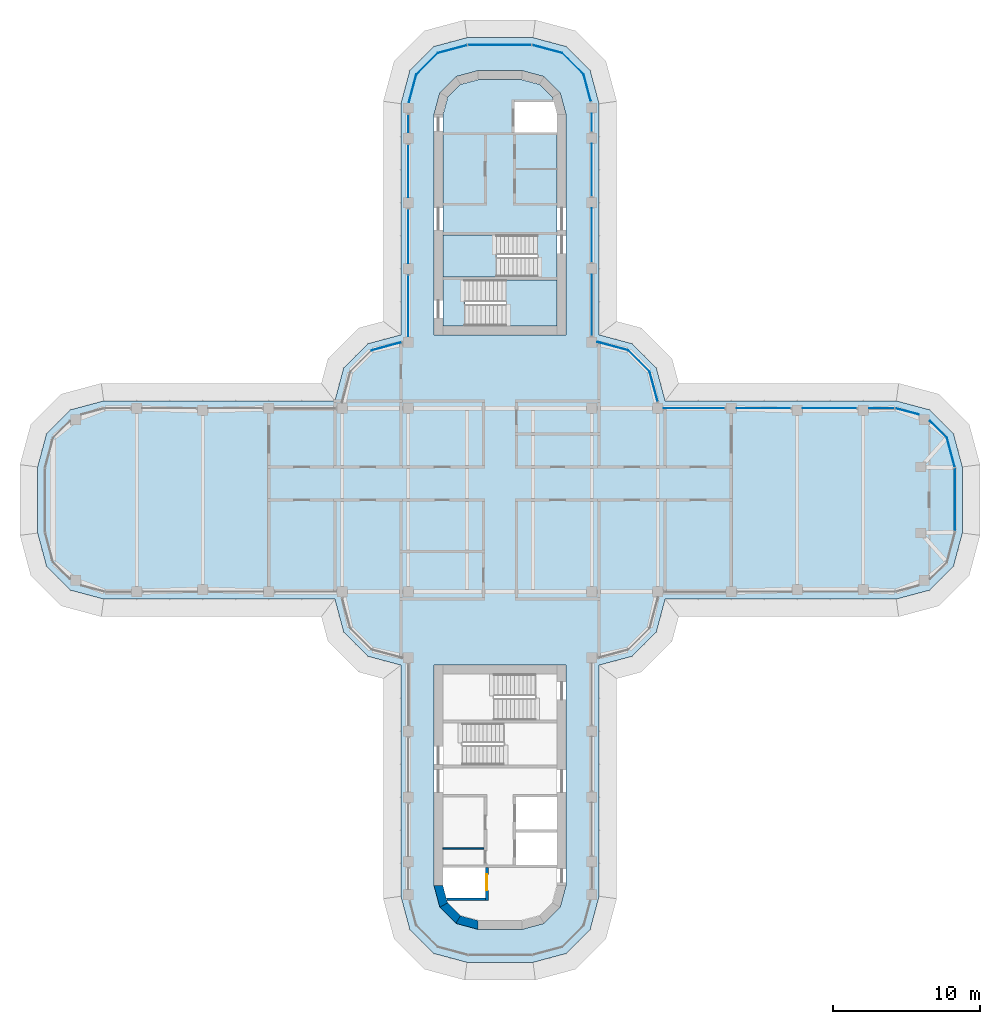
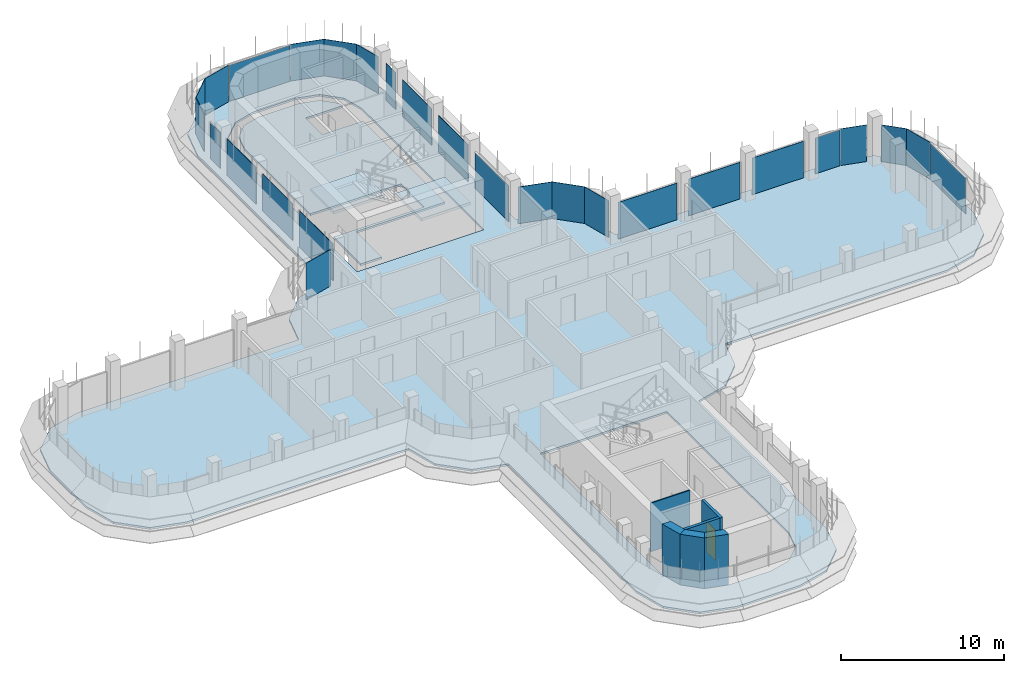
# One storey, part 12 of 18: 27 plates, 6 walls, 4 slabs, 1 door, 1 opening, 20 elements without a shape of their own.
"""IFC4 building model written with IfcOpenShell, lengths in metres."""

from ifc_helpers import new_model, si_unit, direction, frame, frame_2d, origin, place, context, subcontext, project, spatial, polyline, rectangle, outline, extrude, source, transform, mapped, material, layer, layer_set, type_object, element, fill, aggregate, save


model = new_model("IFC4")

# Units and contexts
model_context = context("Model", 3, precision=1e-05, world=origin(), true_north=direction((0.0, 1.0)))
body_context = subcontext(model_context, "Body", "Model", "MODEL_VIEW")
ifc_project = project(units=[si_unit("LENGTHUNIT", "METRE"), si_unit("AREAUNIT", "SQUARE_METRE"), si_unit("VOLUMEUNIT", "CUBIC_METRE"), si_unit("PLANEANGLEUNIT", "RADIAN"), si_unit("MASSUNIT", "GRAM", prefix="KILO")], contexts=[model_context])

# Site, building, storey
site_placement = place(None, origin())
site = spatial("IfcSite", under=ifc_project, at=site_placement, CompositionType="ELEMENT")
building_placement = place(site_placement, origin())
building = spatial("IfcBuilding", under=site, at=building_placement, Name="Zarbagh Exchange Tower", CompositionType="ELEMENT")
storey_placement = place(building_placement, frame((0.0, 0.0, 214.39990234375)))
storey = spatial("IfcBuildingStorey", under=building, at=storey_placement, Name="L52", CompositionType="ELEMENT", Elevation=214.39990234375)

# Slabs
ifc_material_1 = material(Name="Concrete C40/50", Category="concrete")
ifc_layer_1 = layer(ifc_material_1, 0.14990234375)
ifc_layer_set_1 = layer_set([ifc_layer_1], Name="Composite floor slab 150 C40/50")
slab_type_1 = type_object("IfcSlabType", Name="Composite floor slab 150 C40/50", PredefinedType="FLOOR", material=ifc_layer_set_1)
slab_1_placement = place(storey_placement, frame((0.0, 0.0, -0.14990234375)))
element("IfcSlab", 1, at=slab_1_placement, inside=storey, type_object=slab_type_1, Name="S5 composite floor slab", PredefinedType="FLOOR", context=body_context, shape_type="SweptSolid", body=[
    extrude(outline(polyline([(-2.25, -31.5), (-4.5, -30.897216796875), (-6.147216796875, -29.25), (-6.75, -27.0), (-6.75, -11.25), (-9.0, -10.647216796875), (-10.647216796875, -9.0), (-11.25, -6.75), (-27.0, -6.75), (-29.25, -6.147216796875), (-30.897216796875, -4.5), (-31.5, -2.25), (-31.5, 2.25), (-30.897216796875, 4.5), (-29.25, 6.147216796875), (-27.0, 6.75), (-11.25, 6.75), (-10.647216796875, 9.0), (-9.0, 10.647216796875), (-6.75, 11.25), (-6.75, 27.0), (-6.147216796875, 29.25), (-4.5, 30.897216796875), (-2.25, 31.5), (2.25, 31.5), (4.5, 30.897216796875), (6.147216796875, 29.25), (6.75, 27.0), (6.75, 11.25), (9.0, 10.647216796875), (10.647216796875, 9.0), (11.25, 6.75), (27.0, 6.75), (29.25, 6.147216796875), (30.897216796875, 4.5), (31.5, 2.25), (31.5, -2.25), (30.897216796875, -4.5), (29.25, -6.147216796875), (27.0, -6.75), (11.25, -6.75), (10.647216796875, -9.0), (9.0, -10.647216796875), (6.75, -11.25), (6.75, -27.0), (6.147216796875, -29.25), (4.5, -30.897216796875), (2.25, -31.5), (-2.25, -31.5)]), holes=[polyline([(4.5, 11.25), (4.5, 26.25), (4.09814453125, 27.75), (3.0, 28.84814453125), (1.5, 29.25), (-1.5, 29.25), (-3.0, 28.84814453125), (-4.09814453125, 27.75), (-4.5, 26.25), (-4.5, 11.25), (4.5, 11.25)]), polyline([(-1.5, -29.25), (1.5, -29.25), (3.0, -28.84814453125), (4.09814453125, -27.75), (4.5, -26.25), (4.5, -11.25), (-4.5, -11.25), (-4.5, -26.25), (-4.09814453125, -27.75), (-3.0, -28.84814453125), (-1.5, -29.25)])]), origin(), (0.0, 0.0, 1.0), 0.14990234375),
])
ifc_layer_2 = layer(ifc_material_1, 0.14990234375)
ifc_layer_set_2 = layer_set([ifc_layer_2], Name="Core floor slab 150 C40/50")
slab_type_2 = type_object("IfcSlabType", Name="Core floor slab 150 C40/50", PredefinedType="FLOOR", material=ifc_layer_set_2)
slab_2_placement = place(storey_placement, frame((0.0, 0.0, -0.14990234375)))
element("IfcSlab", 2, at=slab_2_placement, inside=storey, type_object=slab_type_2, Name="S17 core N", PredefinedType="FLOOR", context=body_context, shape_type="SweptSolid", body=[
    extrude(outline(polyline([(-3.89990234375, 11.85009765625), (-3.89990234375, 15.199951171875), (2.550048828125, 15.199951171875), (2.550048828125, 18.050048828125), (-3.89990234375, 18.050048828125), (-3.89990234375, 26.1708984375), (-3.56005859375, 27.439453125), (-2.689453125, 28.31005859375), (-1.4208984375, 28.64990234375), (1.4208984375, 28.64990234375), (2.689453125, 28.31005859375), (3.56005859375, 27.439453125), (3.651123046875, 27.10009765625), (1.0, 27.10009765625), (1.0, 25.050048828125), (3.89990234375, 25.050048828125), (3.89990234375, 15.0), (-2.39990234375, 15.0), (-2.39990234375, 11.85009765625), (-3.89990234375, 11.85009765625)])), origin(), (0.0, 0.0, 1.0), 0.14990234375),
])

# Stair, slab
stair_type = type_object("IfcStairType", Name="Exit stair two-flight half-turn", PredefinedType="HALF_TURN_STAIR", material=ifc_material_1)
stair_1_placement = place(storey_placement, origin())
stair_1 = element("IfcStair", 3, at=stair_1_placement, inside=storey, type_object=stair_type, Name="exit stair ST1", PredefinedType="HALF_TURN_STAIR")
ifc_layer_3 = layer(ifc_material_1, 0.199951171875)
ifc_layer_set_3 = layer_set([ifc_layer_3], Name="Stair landing 200 mm")
slab_type_3 = type_object("IfcSlabType", Name="Stair landing 200 mm", PredefinedType="LANDING", material=ifc_layer_set_3)
slab_3_placement = place(storey_placement, frame((0.0, 0.0, 1.7001953125)))
slab_3 = element("IfcSlab", 4, at=slab_3_placement, type_object=slab_type_3, Name="ST1 landing 1", PredefinedType="LANDING", context=body_context, shape_type="SweptSolid", body=[
    extrude(outline(polyline([(-0.25, 18.050048828125), (-3.89990234375, 18.050048828125), (-3.89990234375, 15.199951171875), (-0.25, 15.199951171875), (-0.25, 18.050048828125)])), origin(), (0.0, 0.0, 1.0), 0.199951171875),
])
aggregate(stair_1, [slab_3])

stair_2_placement = place(storey_placement, origin())
stair_2 = element("IfcStair", 5, at=stair_2_placement, inside=storey, type_object=stair_type, Name="exit stair ST2", PredefinedType="HALF_TURN_STAIR")
slab_4_placement = place(storey_placement, frame((0.0, 0.0, 1.7001953125)))
slab_4 = element("IfcSlab", 6, at=slab_4_placement, type_object=slab_type_3, Name="ST2 landing 1", PredefinedType="LANDING", context=body_context, shape_type="SweptSolid", body=[
    extrude(outline(polyline([(0.39990234375, 11.85009765625), (3.89990234375, 11.85009765625), (3.89990234375, 15.0), (0.39990234375, 15.0), (0.39990234375, 11.85009765625)])), origin(), (0.0, 0.0, 1.0), 0.199951171875),
])
aggregate(stair_2, [slab_4])

# Curtain wall, plate
ifc_material_2 = material(Name="Anodised aluminium frame and glazing", Category="aluminium")
curtain_wall_type = type_object("IfcCurtainWallType", Name="CWB Ribbon glazing, upper zones", PredefinedType="NOTDEFINED", material=ifc_material_2)
curtain_wall_1_placement = place(storey_placement, origin())
curtain_wall_1 = element("IfcCurtainWall", 7, at=curtain_wall_1_placement, inside=storey, type_object=curtain_wall_type, Name="CWB18 curtain wall", PredefinedType="NOTDEFINED")
ifc_material_3 = material(Name="Low-e double glazed unit, 6+12+6 mm")
ifc_layer_4 = layer(ifc_material_3, 0.031982421875)
ifc_layer_set_4 = layer_set([ifc_layer_4], Name="PAB Glazing panel, Low-e double glazed unit, 6+12+6 mm")
plate_type = type_object("IfcPlateType", Name="PAB Glazing panel, Low-e double glazed unit, 6+12+6 mm", PredefinedType="CURTAIN_PANEL", material=ifc_layer_set_4)
shared_shape_1 = source(origin(), body_context, "Body", "SweptSolid", [
    extrude(outline(polyline([(0.0, -0.01611328125), (2.061279296875, -0.01611328125), (2.061279296875, 0.01611328125), (0.0, 0.01611328125), (0.0, -0.01611328125)])), origin(), (0.0, 0.0, 1.0), 2.75),
])
placement = place(storey_placement, origin())
plate_1 = element("IfcPlate", 8, at=placement, type_object=plate_type, Name="CWB18 glazing panel 1.1", PredefinedType="CURTAIN_PANEL", context=body_context, shape_type="MappedRepresentation", body=[
    mapped(shared_shape_1, transform((10.19873046875, 8.7412109375, 0.0), x_axis=(-0.707106781187, 0.707106781187, 0.0), y_axis=(-0.707106781187, -0.707106781187, 0.0), z_axis=(0.0, 0.0, 1.0))),
])
aggregate(curtain_wall_1, [plate_1])

curtain_wall_2_placement = place(storey_placement, origin())
curtain_wall_2 = element("IfcCurtainWall", 9, at=curtain_wall_2_placement, inside=storey, type_object=curtain_wall_type, Name="CWB22 curtain wall", PredefinedType="NOTDEFINED")
plate_2 = element("IfcPlate", 10, at=placement, type_object=plate_type, Name="CWB22 glazing panel 1.1", PredefinedType="CURTAIN_PANEL", context=body_context, shape_type="MappedRepresentation", body=[
    mapped(shared_shape_1, transform((5.69873046875, 28.9912109375, 0.0), x_axis=(-0.707106781187, 0.707106781187, 0.0), y_axis=(-0.707106781187, -0.707106781187, 0.0), z_axis=(0.0, 0.0, 1.0))),
])
aggregate(curtain_wall_2, [plate_2])

curtain_wall_3_placement = place(storey_placement, origin())
curtain_wall_3 = element("IfcCurtainWall", 11, at=curtain_wall_3_placement, inside=storey, type_object=curtain_wall_type, Name="CWB26 curtain wall", PredefinedType="NOTDEFINED")
plate_3 = element("IfcPlate", 12, at=placement, type_object=plate_type, Name="CWB26 glazing panel 1.1", PredefinedType="CURTAIN_PANEL", context=body_context, shape_type="MappedRepresentation", body=[
    mapped(shared_shape_1, transform((-4.2412109375, 30.44873046875, 0.0), x_axis=(-0.707106781187, -0.707106781187, 0.0), y_axis=(0.707106781187, -0.707106781187, 0.0), z_axis=(0.0, 0.0, 1.0))),
])
aggregate(curtain_wall_3, [plate_3])

curtain_wall_4_placement = place(storey_placement, origin())
curtain_wall_4 = element("IfcCurtainWall", 13, at=curtain_wall_4_placement, inside=storey, type_object=curtain_wall_type, Name="CWB23 curtain wall", PredefinedType="NOTDEFINED")
shared_shape_2 = source(origin(), body_context, "Body", "SweptSolid", [
    extrude(outline(polyline([(0.0, -0.01611328125), (2.129638671875, -0.01611328125), (2.129638671875, 0.01611328125), (0.0, 0.01611328125), (0.0, -0.01611328125)])), origin(), (0.0, 0.0, 1.0), 2.75),
])
plate_4 = element("IfcPlate", 14, at=placement, type_object=plate_type, Name="CWB23 glazing panel 1.1", PredefinedType="CURTAIN_PANEL", context=body_context, shape_type="MappedRepresentation", body=[
    mapped(shared_shape_2, transform((4.2412109375, 30.44873046875, 0.0), x_axis=(-0.965924289636, 0.258824779902, 0.0), y_axis=(-0.258824779902, -0.965924289636, 0.0), z_axis=(0.0, 0.0, 1.0))),
])
aggregate(curtain_wall_4, [plate_4])

curtain_wall_5_placement = place(storey_placement, origin())
curtain_wall_5 = element("IfcCurtainWall", 15, at=curtain_wall_5_placement, inside=storey, type_object=curtain_wall_type, Name="CWB20 curtain wall", PredefinedType="NOTDEFINED")
shared_shape_3 = source(origin(), body_context, "Body", "SweptSolid", [
    extrude(outline(polyline([(0.0, -0.01611328125), (3.56005859375, -0.01611328125), (3.56005859375, 0.01611328125), (0.0, 0.01611328125), (0.0, -0.01611328125)])), origin(), (0.0, 0.0, 1.0), 2.75),
])
plate_5 = element("IfcPlate", 16, at=placement, type_object=plate_type, Name="CWB20 glazing panel 3.1", PredefinedType="CURTAIN_PANEL", context=body_context, shape_type="MappedRepresentation", body=[
    mapped(shared_shape_3, transform((6.25, 20.699951171875, 0.0), x_axis=(0.0, 1.0, 0.0), y_axis=(-1.0, 0.0, 0.0), z_axis=(0.0, 0.0, 1.0))),
])

curtain_wall_6_placement = place(storey_placement, origin())
curtain_wall_6 = element("IfcCurtainWall", 17, at=curtain_wall_6_placement, inside=storey, type_object=curtain_wall_type, Name="CWB28 curtain wall", PredefinedType="NOTDEFINED")
plate_6 = element("IfcPlate", 18, at=placement, type_object=plate_type, Name="CWB28 glazing panel 2.1", PredefinedType="CURTAIN_PANEL", context=body_context, shape_type="MappedRepresentation", body=[
    mapped(shared_shape_3, transform((-6.25, 24.199951171875, 0.0), x_axis=(0.0, -1.0, 0.0), y_axis=(1.0, 0.0, 0.0), z_axis=(0.0, 0.0, 1.0))),
])

curtain_wall_7_placement = place(storey_placement, origin())
curtain_wall_7 = element("IfcCurtainWall", 19, at=curtain_wall_7_placement, inside=storey, type_object=curtain_wall_type, Name="CWB12 curtain wall", PredefinedType="NOTDEFINED")
shared_shape_4 = source(origin(), body_context, "Body", "SweptSolid", [
    extrude(outline(polyline([(0.0, -0.01611328125), (4.308349609375, -0.01611328125), (4.308349609375, 0.01611328125), (0.0, 0.01611328125), (0.0, -0.01611328125)])), origin(), (0.0, 0.0, 1.0), 2.68994140625),
])
plate_7 = element("IfcPlate", 20, at=placement, type_object=plate_type, Name="CWB12 glazing panel 1.1", PredefinedType="CURTAIN_PANEL", context=body_context, shape_type="MappedRepresentation", body=[
    mapped(shared_shape_4, transform((31.0, -2.124267578125, 0.0), x_axis=(0.0, 1.0, 0.0), y_axis=(-1.0, 0.0, 0.0), z_axis=(0.0, 0.0, 1.0))),
])
aggregate(curtain_wall_7, [plate_7])

curtain_wall_8_placement = place(storey_placement, origin())
curtain_wall_8 = element("IfcCurtainWall", 21, at=curtain_wall_8_placement, inside=storey, type_object=curtain_wall_type, Name="CWB24 curtain wall", PredefinedType="NOTDEFINED")
plate_8 = element("IfcPlate", 22, at=placement, type_object=plate_type, Name="CWB24 glazing panel 1.1", PredefinedType="CURTAIN_PANEL", context=body_context, shape_type="MappedRepresentation", body=[
    mapped(shared_shape_4, transform((2.124267578125, 31.0, 0.0), x_axis=(-1.0, 0.0, 0.0), y_axis=(0.0, -1.0, 0.0), z_axis=(0.0, 0.0, 1.0))),
])
aggregate(curtain_wall_8, [plate_8])

curtain_wall_9_placement = place(storey_placement, origin())
curtain_wall_9 = element("IfcCurtainWall", 23, at=curtain_wall_9_placement, inside=storey, type_object=curtain_wall_type, Name="CWB13 curtain wall", PredefinedType="NOTDEFINED")
shared_shape_5 = source(origin(), body_context, "Body", "SweptSolid", [
    extrude(outline(polyline([(0.0, -0.01611328125), (2.069580078125, -0.01611328125), (2.069580078125, 0.01611328125), (0.0, 0.01611328125), (0.0, -0.01611328125)])), origin(), (0.0, 0.0, 1.0), 2.75),
])
plate_9 = element("IfcPlate", 24, at=placement, type_object=plate_type, Name="CWB13 glazing panel 1.1", PredefinedType="CURTAIN_PANEL", context=body_context, shape_type="MappedRepresentation", body=[
    mapped(shared_shape_5, transform((30.984375, 2.2421875, 0.0), x_axis=(-0.258824779902, 0.965924289636, 0.0), y_axis=(-0.965924289636, -0.258824779902, 0.0), z_axis=(0.0, 0.0, 1.0))),
])
aggregate(curtain_wall_9, [plate_9])

curtain_wall_10_placement = place(storey_placement, origin())
curtain_wall_10 = element("IfcCurtainWall", 25, at=curtain_wall_10_placement, inside=storey, type_object=curtain_wall_type, Name="CWB25 curtain wall", PredefinedType="NOTDEFINED")
plate_10 = element("IfcPlate", 26, at=placement, type_object=plate_type, Name="CWB25 glazing panel 1.1", PredefinedType="CURTAIN_PANEL", context=body_context, shape_type="MappedRepresentation", body=[
    mapped(shared_shape_5, transform((-2.2421875, 30.984375, 0.0), x_axis=(-0.965924289636, -0.258824779902, 0.0), y_axis=(0.258824779902, -0.965924289636, 0.0), z_axis=(0.0, 0.0, 1.0))),
])
aggregate(curtain_wall_10, [plate_10])

# Curtain wall, plates
curtain_wall_11_placement = place(storey_placement, origin())
curtain_wall_11 = element("IfcCurtainWall", 27, at=curtain_wall_11_placement, inside=storey, type_object=curtain_wall_type, Name="CWB16 curtain wall", PredefinedType="NOTDEFINED")
shared_shape_6 = source(origin(), body_context, "Body", "SweptSolid", [
    extrude(outline(polyline([(0.0, -0.01611328125), (3.659912109375, -0.01611328125), (3.659912109375, 0.01611328125), (0.0, 0.01611328125), (0.0, -0.01611328125)])), origin(), (0.0, 0.0, 1.0), 2.75),
])
plate_11 = element("IfcPlate", 28, at=placement, type_object=plate_type, Name="CWB16 glazing panel 2.1", PredefinedType="CURTAIN_PANEL", context=body_context, shape_type="MappedRepresentation", body=[
    mapped(shared_shape_6, transform((24.300048828125, 6.25, 0.0), x_axis=(-1.0, 0.0, 0.0), y_axis=(0.0, -1.0, 0.0), z_axis=(0.0, 0.0, 1.0))),
])
plate_12 = element("IfcPlate", 29, at=placement, type_object=plate_type, Name="CWB16 glazing panel 3.1", PredefinedType="CURTAIN_PANEL", context=body_context, shape_type="MappedRepresentation", body=[
    mapped(shared_shape_6, transform((19.800048828125, 6.25, 0.0), x_axis=(-1.0, 0.0, 0.0), y_axis=(0.0, -1.0, 0.0), z_axis=(0.0, 0.0, 1.0))),
])

# Plate
plate_13 = element("IfcPlate", 30, at=placement, type_object=plate_type, Name="CWB20 glazing panel 2.1", PredefinedType="CURTAIN_PANEL", context=body_context, shape_type="MappedRepresentation", body=[
    mapped(shared_shape_6, transform((6.25, 16.199951171875, 0.0), x_axis=(0.0, 1.0, 0.0), y_axis=(-1.0, 0.0, 0.0), z_axis=(0.0, 0.0, 1.0))),
])

plate_14 = element("IfcPlate", 31, at=placement, type_object=plate_type, Name="CWB28 glazing panel 3.1", PredefinedType="CURTAIN_PANEL", context=body_context, shape_type="MappedRepresentation", body=[
    mapped(shared_shape_6, transform((-6.25, 19.800048828125, 0.0), x_axis=(0.0, -1.0, 0.0), y_axis=(1.0, 0.0, 0.0), z_axis=(0.0, 0.0, 1.0))),
])

shared_shape_7 = source(origin(), body_context, "Body", "SweptSolid", [
    extrude(outline(polyline([(0.0, -0.01611328125), (4.159912109375, -0.01611328125), (4.159912109375, 0.01611328125), (0.0, 0.01611328125), (0.0, -0.01611328125)])), origin(), (0.0, 0.0, 1.0), 2.75),
])
plate_15 = element("IfcPlate", 32, at=placement, type_object=plate_type, Name="CWB16 glazing panel 4.1", PredefinedType="CURTAIN_PANEL", context=body_context, shape_type="MappedRepresentation", body=[
    mapped(shared_shape_7, transform((15.300048828125, 6.25, 0.0), x_axis=(-1.0, 0.0, 0.0), y_axis=(0.0, -1.0, 0.0), z_axis=(0.0, 0.0, 1.0))),
])

plate_16 = element("IfcPlate", 33, at=placement, type_object=plate_type, Name="CWB28 glazing panel 4.1", PredefinedType="CURTAIN_PANEL", context=body_context, shape_type="MappedRepresentation", body=[
    mapped(shared_shape_7, transform((-6.25, 15.300048828125, 0.0), x_axis=(0.0, -1.0, 0.0), y_axis=(1.0, 0.0, 0.0), z_axis=(0.0, 0.0, 1.0))),
])

# Curtain wall, plate
curtain_wall_12_placement = place(storey_placement, origin())
curtain_wall_12 = element("IfcCurtainWall", 34, at=curtain_wall_12_placement, inside=storey, type_object=curtain_wall_type, Name="CWB17 curtain wall", PredefinedType="NOTDEFINED")
shared_shape_8 = source(origin(), body_context, "Body", "SweptSolid", [
    extrude(outline(polyline([(0.0, -0.01611328125), (2.115234375, -0.01611328125), (2.115234375, 0.01611328125), (0.0, 0.01611328125), (0.0, -0.01611328125)])), origin(), (0.0, 0.0, 1.0), 2.75),
])
plate_17 = element("IfcPlate", 35, at=placement, type_object=plate_type, Name="CWB17 glazing panel 1.1", PredefinedType="CURTAIN_PANEL", context=body_context, shape_type="MappedRepresentation", body=[
    mapped(shared_shape_8, transform((10.746337890625, 6.697998046875, 0.0), x_axis=(-0.258824779902, 0.965924289636, 0.0), y_axis=(-0.965924289636, -0.258824779902, 0.0), z_axis=(0.0, 0.0, 1.0))),
])
aggregate(curtain_wall_12, [plate_17])

curtain_wall_13_placement = place(storey_placement, origin())
curtain_wall_13 = element("IfcCurtainWall", 36, at=curtain_wall_13_placement, inside=storey, type_object=curtain_wall_type, Name="CWB29 curtain wall", PredefinedType="NOTDEFINED")
plate_18 = element("IfcPlate", 37, at=placement, type_object=plate_type, Name="CWB29 glazing panel 1.1", PredefinedType="CURTAIN_PANEL", context=body_context, shape_type="MappedRepresentation", body=[
    mapped(shared_shape_8, transform((-6.697998046875, 10.746337890625, 0.0), x_axis=(-0.965924289636, -0.258824779902, 0.0), y_axis=(0.258824779902, -0.965924289636, 0.0), z_axis=(0.0, 0.0, 1.0))),
])
aggregate(curtain_wall_13, [plate_18])

curtain_wall_14_placement = place(storey_placement, origin())
curtain_wall_14 = element("IfcCurtainWall", 38, at=curtain_wall_14_placement, inside=storey, type_object=curtain_wall_type, Name="CWB19 curtain wall", PredefinedType="NOTDEFINED")
shared_shape_9 = source(origin(), body_context, "Body", "SweptSolid", [
    extrude(outline(polyline([(0.0, -0.01611328125), (2.17529296875, -0.01611328125), (2.17529296875, 0.01611328125), (0.0, 0.01611328125), (0.0, -0.01611328125)])), origin(), (0.0, 0.0, 1.0), 2.75),
])
plate_19 = element("IfcPlate", 39, at=placement, type_object=plate_type, Name="CWB19 glazing panel 1.1", PredefinedType="CURTAIN_PANEL", context=body_context, shape_type="MappedRepresentation", body=[
    mapped(shared_shape_9, transform((8.7412109375, 10.19873046875, 0.0), x_axis=(-0.965924289636, 0.258824779902, 0.0), y_axis=(-0.258824779902, -0.965924289636, 0.0), z_axis=(0.0, 0.0, 1.0))),
])
aggregate(curtain_wall_14, [plate_19])

# Plate
shared_shape_10 = source(origin(), body_context, "Body", "SweptSolid", [
    extrude(outline(polyline([(0.0, -0.01611328125), (4.159912109375, -0.01611328125), (4.159912109375, 0.01611328125), (0.0, 0.01611328125), (0.0, -0.01611328125)])), origin(), (0.0, 0.0, 1.0), 2.68994140625),
])
plate_20 = element("IfcPlate", 40, at=placement, type_object=plate_type, Name="CWB20 glazing panel 1.1", PredefinedType="CURTAIN_PANEL", context=body_context, shape_type="MappedRepresentation", body=[
    mapped(shared_shape_10, transform((6.25, 11.199951171875, 0.0), x_axis=(0.0, 1.0, 0.0), y_axis=(-1.0, 0.0, 0.0), z_axis=(0.0, 0.0, 1.0))),
])

# Curtain wall, plate
curtain_wall_15_placement = place(storey_placement, origin())
curtain_wall_15 = element("IfcCurtainWall", 41, at=curtain_wall_15_placement, inside=storey, type_object=curtain_wall_type, Name="CWB14 curtain wall", PredefinedType="NOTDEFINED")
shared_shape_11 = source(origin(), body_context, "Body", "SweptSolid", [
    extrude(outline(polyline([(0.0, -0.01611328125), (1.62744140625, -0.01611328125), (1.62744140625, 0.01611328125), (0.0, 0.01611328125), (0.0, -0.01611328125)])), origin(), (0.0, 0.0, 1.0), 2.75),
])
plate_21 = element("IfcPlate", 42, at=placement, type_object=plate_type, Name="CWB14 glazing panel 1.1", PredefinedType="CURTAIN_PANEL", context=body_context, shape_type="MappedRepresentation", body=[
    mapped(shared_shape_11, transform((30.44873046875, 4.2412109375, 0.0), x_axis=(-0.707106781187, 0.707106781187, 0.0), y_axis=(-0.707106781187, -0.707106781187, 0.0), z_axis=(0.0, 0.0, 1.0))),
])
aggregate(curtain_wall_15, [plate_21])

curtain_wall_16_placement = place(storey_placement, origin())
curtain_wall_16 = element("IfcCurtainWall", 43, at=curtain_wall_16_placement, inside=storey, type_object=curtain_wall_type, Name="CWB15 curtain wall", PredefinedType="NOTDEFINED")
shared_shape_12 = source(origin(), body_context, "Body", "SweptSolid", [
    extrude(outline(polyline([(0.0, -0.01611328125), (1.6396484375, -0.01611328125), (1.6396484375, 0.01611328125), (0.0, 0.01611328125), (0.0, -0.01611328125)])), origin(), (0.0, 0.0, 1.0), 2.75),
])
plate_22 = element("IfcPlate", 44, at=placement, type_object=plate_type, Name="CWB15 glazing panel 1.1", PredefinedType="CURTAIN_PANEL", context=body_context, shape_type="MappedRepresentation", body=[
    mapped(shared_shape_12, transform((28.51806640625, 5.82568359375, 0.0), x_axis=(-0.965924289636, 0.258824779902, 0.0), y_axis=(-0.258824779902, -0.965924289636, 0.0), z_axis=(0.0, 0.0, 1.0))),
])
aggregate(curtain_wall_16, [plate_22])

# Plate
shared_shape_13 = source(origin(), body_context, "Body", "SweptSolid", [
    extrude(outline(polyline([(0.0, -0.01611328125), (1.734130859375, -0.01611328125), (1.734130859375, 0.01611328125), (0.0, 0.01611328125), (0.0, -0.01611328125)])), origin(), (0.0, 0.0, 1.0), 2.68994140625),
])
plate_23 = element("IfcPlate", 45, at=placement, type_object=plate_type, Name="CWB16 glazing panel 1.1", PredefinedType="CURTAIN_PANEL", context=body_context, shape_type="MappedRepresentation", body=[
    mapped(shared_shape_13, transform((26.874267578125, 6.25, 0.0), x_axis=(-1.0, 0.0, 0.0), y_axis=(0.0, -1.0, 0.0), z_axis=(0.0, 0.0, 1.0))),
])

aggregate(curtain_wall_11, [plate_23, plate_11, plate_12, plate_15])

shared_shape_14 = source(origin(), body_context, "Body", "SweptSolid", [
    extrude(outline(polyline([(0.0, -0.01611328125), (1.2099609375, -0.01611328125), (1.2099609375, 0.01611328125), (0.0, 0.01611328125), (0.0, -0.01611328125)])), origin(), (0.0, 0.0, 1.0), 2.75),
])
plate_24 = element("IfcPlate", 46, at=placement, type_object=plate_type, Name="CWB20 glazing panel 4.1", PredefinedType="CURTAIN_PANEL", context=body_context, shape_type="MappedRepresentation", body=[
    mapped(shared_shape_14, transform((6.25, 25.10009765625, 0.0), x_axis=(0.0, 1.0, 0.0), y_axis=(-1.0, 0.0, 0.0), z_axis=(0.0, 0.0, 1.0))),
])

aggregate(curtain_wall_5, [plate_20, plate_13, plate_5, plate_24])

# Curtain wall, plate
curtain_wall_17_placement = place(storey_placement, origin())
curtain_wall_17 = element("IfcCurtainWall", 47, at=curtain_wall_17_placement, inside=storey, type_object=curtain_wall_type, Name="CWB21 curtain wall", PredefinedType="NOTDEFINED")
shared_shape_15 = source(origin(), body_context, "Body", "SweptSolid", [
    extrude(outline(polyline([(0.0, -0.01611328125), (1.908203125, -0.01611328125), (1.908203125, 0.01611328125), (0.0, 0.01611328125), (0.0, -0.01611328125)])), origin(), (0.0, 0.0, 1.0), 2.75),
])
plate_25 = element("IfcPlate", 48, at=placement, type_object=plate_type, Name="CWB21 glazing panel 1.1", PredefinedType="CURTAIN_PANEL", context=body_context, shape_type="MappedRepresentation", body=[
    mapped(shared_shape_15, transform((6.192626953125, 27.14794921875, 0.0), x_axis=(-0.258824779902, 0.965924289636, 0.0), y_axis=(-0.965924289636, -0.258824779902, 0.0), z_axis=(0.0, 0.0, 1.0))),
])
aggregate(curtain_wall_17, [plate_25])

curtain_wall_18_placement = place(storey_placement, origin())
curtain_wall_18 = element("IfcCurtainWall", 49, at=curtain_wall_18_placement, inside=storey, type_object=curtain_wall_type, Name="CWB27 curtain wall", PredefinedType="NOTDEFINED")
shared_shape_16 = source(origin(), body_context, "Body", "SweptSolid", [
    extrude(outline(polyline([(0.0, -0.01611328125), (1.96826171875, -0.01611328125), (1.96826171875, 0.01611328125), (0.0, 0.01611328125), (0.0, -0.01611328125)])), origin(), (0.0, 0.0, 1.0), 2.75),
])
plate_26 = element("IfcPlate", 50, at=placement, type_object=plate_type, Name="CWB27 glazing panel 1.1", PredefinedType="CURTAIN_PANEL", context=body_context, shape_type="MappedRepresentation", body=[
    mapped(shared_shape_16, transform((-5.69873046875, 28.9912109375, 0.0), x_axis=(-0.258824779902, -0.965924289636, 0.0), y_axis=(0.965924289636, -0.258824779902, 0.0), z_axis=(0.0, 0.0, 1.0))),
])
aggregate(curtain_wall_18, [plate_26])

# Plate
shared_shape_17 = source(origin(), body_context, "Body", "SweptSolid", [
    extrude(outline(polyline([(0.0, -0.01611328125), (1.2099609375, -0.01611328125), (1.2099609375, 0.01611328125), (0.0, 0.01611328125), (0.0, -0.01611328125)])), origin(), (0.0, 0.0, 1.0), 2.68994140625),
])
plate_27 = element("IfcPlate", 51, at=placement, type_object=plate_type, Name="CWB28 glazing panel 1.1", PredefinedType="CURTAIN_PANEL", context=body_context, shape_type="MappedRepresentation", body=[
    mapped(shared_shape_17, transform((-6.25, 26.25, 0.0), x_axis=(0.0, -1.0, 0.0), y_axis=(1.0, 0.0, 0.0), z_axis=(0.0, 0.0, 1.0))),
])

aggregate(curtain_wall_6, [plate_27, plate_6, plate_14, plate_16])

# Walls
ifc_material_4 = material(Name="Dense blockwork", Category="masonry")
ifc_layer_5 = layer(ifc_material_4, 0.10009765625)
ifc_layer_set_5 = layer_set([ifc_layer_5], Name="Core partition 100 mm blockwork")
wall_type_1 = type_object("IfcWallType", Name="Core partition 100 mm blockwork", PredefinedType="PARTITIONING", material=ifc_layer_set_5)
wall_1_placement = place(storey_placement, frame((-1.10009765625, -23.75, 0.0), z_axis=(0.0, 0.0, 1.0), x_axis=(-1.0, 0.0, 0.0)))
element("IfcWall", 52, at=wall_1_placement, inside=storey, type_object=wall_type_1, Name="South core partition wall CUT-E-460", PredefinedType="PARTITIONING", context=body_context, shape_type="SweptSolid", body=[
    extrude(rectangle(XDim=2.7998046875, YDim=0.10009765625, at=frame_2d((1.39990234375, 0.0))), origin(), (0.0, 0.0, 1.0), 3.650146484375),
])
ifc_material_5 = material(Name="Concrete C50/60", Category="concrete")
ifc_layer_6 = layer(ifc_material_5, 0.60009765625)
ifc_layer_set_6 = layer_set([ifc_layer_6], Name="RC core corner wall 600 C50/60")
wall_type_2 = type_object("IfcWallType", Name="RC core corner wall 600 C50/60", PredefinedType="SHEAR", material=ifc_layer_set_6)
wall_2_placement = place(storey_placement, origin())
element("IfcWall", 53, at=wall_2_placement, inside=storey, type_object=wall_type_2, Name="CW8 core S corner W", PredefinedType="SHEAR", context=body_context, shape_type="SweptSolid", body=[
    extrude(outline(polyline([(-4.5, -26.25), (-4.09814453125, -27.75), (-3.57861328125, -27.449951171875), (-3.89990234375, -26.25), (-4.5, -26.25)])), origin(), (0.0, 0.0, 1.0), 3.800048828125),
])
wall_3_placement = place(storey_placement, origin())
element("IfcWall", 54, at=wall_3_placement, inside=storey, type_object=wall_type_2, Name="CW8 core S corner W", PredefinedType="SHEAR", context=body_context, shape_type="SweptSolid", body=[
    extrude(outline(polyline([(-4.09814453125, -27.75), (-3.0, -28.84814453125), (-2.699951171875, -28.32861328125), (-3.57861328125, -27.449951171875), (-4.09814453125, -27.75)])), origin(), (0.0, 0.0, 1.0), 3.800048828125),
])
wall_4_placement = place(storey_placement, origin())
element("IfcWall", 55, at=wall_4_placement, inside=storey, type_object=wall_type_2, Name="CW8 core S corner W", PredefinedType="SHEAR", context=body_context, shape_type="SweptSolid", body=[
    extrude(outline(polyline([(-3.0, -28.84814453125), (-1.5, -29.25), (-1.5, -28.64990234375), (-2.699951171875, -28.32861328125), (-3.0, -28.84814453125)])), origin(), (0.0, 0.0, 1.0), 3.800048828125),
])

# Wall, opening, door
ifc_layer_7 = layer(ifc_material_1, 0.199951171875)
ifc_layer_set_7 = layer_set([ifc_layer_7], Name="Stair enclosure wall 200 mm RC C40/50")
wall_type_3 = type_object("IfcWallType", Name="Stair enclosure wall 200 mm RC C40/50", PredefinedType="SHEAR", material=ifc_layer_set_7)
wall_5_placement = place(storey_placement, frame((-0.89990234375, -27.300048828125, 0.0), z_axis=(0.0, 0.0, 1.0), x_axis=(0.0, 1.0, 0.0)))
wall_5 = element("IfcWall", 56, at=wall_5_placement, inside=storey, type_object=wall_type_3, Name="South core lift shaft wall FFL", PredefinedType="SHEAR", context=body_context, shape_type="SweptSolid", body=[
    extrude(rectangle(XDim=2.25, YDim=0.199951171875, at=frame_2d((1.125, 0.0))), origin(), (0.0, 0.0, 1.0), 3.650146484375),
])
opening_placement = place(wall_5_placement, frame((0.699951171875, 0.0, 0.0)))
opening = element("IfcOpeningElement", 57, at=opening_placement, cuts=wall_5, Name="Opening LD-1100", PredefinedType="OPENING", context=body_context, shape_type="SweptSolid", body=[
    extrude(rectangle(XDim=1.10009765625, YDim=2.300048828125, at=frame_2d((0.550048828125, 1.14990234375))), frame((0.0, 0.10986328125, 0.0), z_axis=(0.0, -1.0, 0.0), x_axis=(1.0, 0.0, 0.0)), (0.0, 0.0, 1.0), 0.219970703125),
])
ifc_material_6 = material(Name="Stainless steel", Category="steel")
door_type = type_object("IfcDoorType", Name="Lift landing door 1100 x 2300", OperationType="NOTDEFINED", PredefinedType="DOOR", material=ifc_material_6)
door_placement = place(opening_placement, origin())
door = element("IfcDoor", 58, at=door_placement, inside=storey, type_object=door_type, Name="South core lift landing door LD-F", OperationType="DOUBLE_DOOR_SLIDING", OverallHeight=2.300048828125, OverallWidth=1.10009765625, PredefinedType="DOOR", context=body_context, shape_type="SweptSolid", body=[
    extrude(rectangle(XDim=1.10009765625, YDim=2.300048828125, at=frame_2d((0.550048828125, 1.14990234375))), frame((0.0, 0.02490234375, 0.0), z_axis=(0.0, -1.0, 0.0), x_axis=(1.0, 0.0, 0.0)), (0.0, 0.0, 1.0), 0.050048828125),
])
fill(opening, door)

# Wall
wall_6_placement = place(storey_placement, origin())
element("IfcWall", 59, at=wall_6_placement, inside=storey, type_object=wall_type_3, Name="South core lift shaft wall FFX", PredefinedType="SHEAR", context=body_context, shape_type="SweptSolid", body=[
    extrude(outline(polyline([(-1.0, -27.10009765625), (-3.651123046875, -27.10009765625), (-3.597412109375, -27.300048828125), (-1.0, -27.300048828125), (-1.0, -27.10009765625)])), origin(), (0.0, 0.0, 1.0), 3.650146484375),
])

save(model, "model.ifc")
